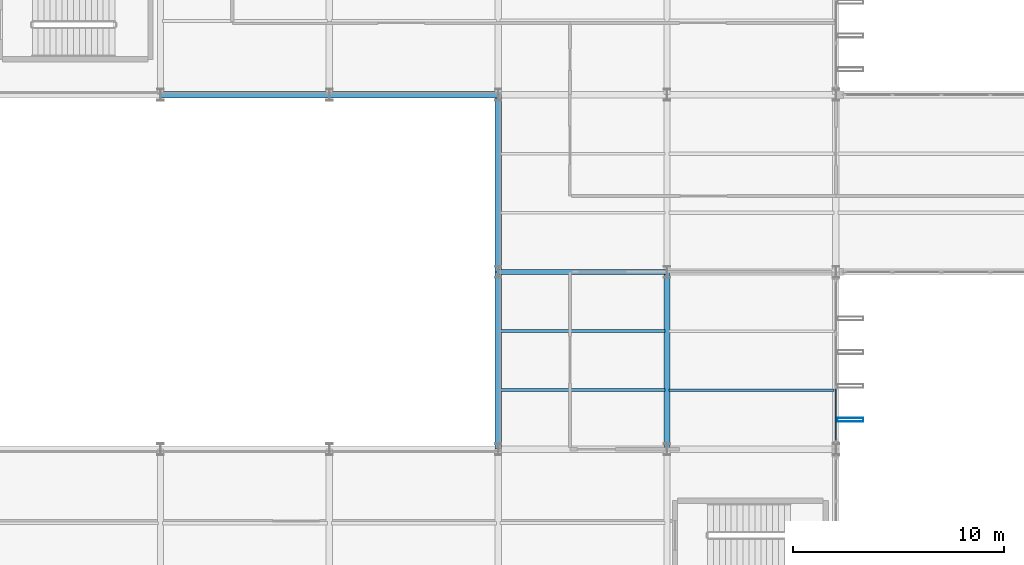
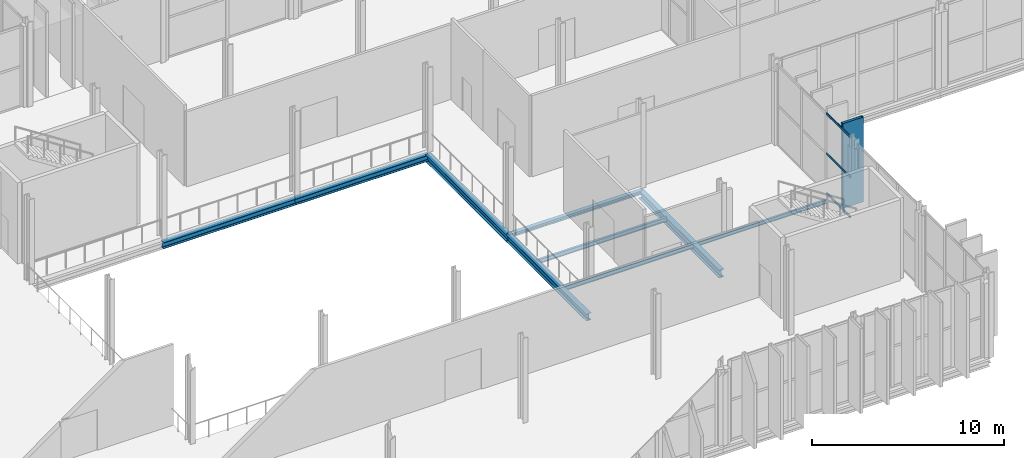
# One storey, part 55 of 147: 9 beams, 4 members, 1 element without a shape of its own.
"""IFC4 building model written with IfcOpenShell, lengths in metres."""

from ifc_helpers import new_model, si_unit, direction, frame, origin, origin_2d, place, context, subcontext, project, spatial, hollow_rectangle, i_section, extrude, material, layer, layer_set, material_profile, profile_set, type_object, element, aggregate, save


model = new_model("IFC4")

# Units and contexts
model_context = context("Model", 3, precision=1e-05, world=origin(), true_north=direction((0.0, 1.0)))
body_context = subcontext(model_context, "Body", "Model", "MODEL_VIEW")
ifc_project = project(units=[si_unit("LENGTHUNIT", "METRE"), si_unit("AREAUNIT", "SQUARE_METRE"), si_unit("VOLUMEUNIT", "CUBIC_METRE"), si_unit("PLANEANGLEUNIT", "RADIAN"), si_unit("MASSUNIT", "GRAM", prefix="KILO")], contexts=[model_context])

# Site, building, storey
site_placement = place(None, origin())
site = spatial("IfcSite", under=ifc_project, at=site_placement, CompositionType="ELEMENT")
building_placement = place(site_placement, origin())
building = spatial("IfcBuilding", under=site, at=building_placement, Name="Vekula Escarpment Museum", CompositionType="ELEMENT")
storey_placement = place(building_placement, frame((0.0, 0.0, 7.800048828125)))
storey = spatial("IfcBuildingStorey", under=building, at=storey_placement, Name="L02", CompositionType="ELEMENT", Elevation=7.800048828125)

# Beams
ifc_material_1 = material(Name="Steel S355", Category="steel")
ifc_material_profile_1 = material_profile(ifc_material_1, i_section(OverallWidth=0.300048828125, OverallDepth=0.5, WebThickness=0.014404296875, FlangeThickness=0.028076171875, FilletRadius=0.027099609375, at=origin_2d()), Name="HEB 500")
ifc_profile_set_1 = profile_set([ifc_material_profile_1], Name="Steel S355")
beam_type_1 = type_object("IfcBeamType", Name="BM-GIRD-HEB500", PredefinedType="BEAM", material=ifc_profile_set_1)
beam_1_placement = place(storey_placement, frame((118.0, 59.60009765625, -0.510009765625), z_axis=(0.0, 1.0, 0.0), x_axis=(-1.0, 0.0, 0.0)))
element("IfcBeam", 1, at=beam_1_placement, inside=storey, type_object=beam_type_1, Name="Beam Y L02 1197", PredefinedType="BEAM", context=body_context, shape_type="SweptSolid", body=[
    extrude(i_section(OverallWidth=0.300048828125, OverallDepth=0.5, WebThickness=0.014404296875, FlangeThickness=0.028076171875, FilletRadius=0.027099609375, at=origin_2d()), origin(), (0.0, 0.0, 1.0), 8.39990234375),
])
ifc_material_2 = material(Name="Steel S355", Category="steel")
ifc_material_profile_2 = material_profile(ifc_material_2, i_section(OverallWidth=0.1201171875, OverallDepth=0.239990234375, WebThickness=0.006103515625, FlangeThickness=0.009765625, FilletRadius=0.014892578125, at=origin_2d()), Name="IPE 240")
ifc_profile_set_2 = profile_set([ifc_material_profile_2], Name="Steel S355")
beam_type_2 = type_object("IfcBeamType", Name="BM-JST-IPE240", PredefinedType="JOIST", material=ifc_profile_set_2)
beam_2_placement = place(storey_placement, frame((118.090087890625, 62.39990234375, -0.380126953125), z_axis=(1.0, 0.0, 0.0), x_axis=(0.0, 1.0, 0.0)))
element("IfcBeam", 2, at=beam_2_placement, inside=storey, type_object=beam_type_2, Name="Secondary Joist L02 0817", PredefinedType="JOIST", context=body_context, shape_type="SweptSolid", body=[
    extrude(i_section(OverallWidth=0.1201171875, OverallDepth=0.239990234375, WebThickness=0.006103515625, FlangeThickness=0.009765625, FilletRadius=0.014892578125, at=origin_2d()), origin(), (0.0, 0.0, 1.0), 7.81982421875),
])
ifc_material_3 = material(Name="Steel S355", Category="steel")
ifc_material_profile_3 = material_profile(ifc_material_3, i_section(OverallWidth=0.135009765625, OverallDepth=0.27001953125, WebThickness=0.006591796875, FlangeThickness=0.01025390625, FilletRadius=0.014892578125, at=origin_2d()), Name="IPE 270")
ifc_profile_set_3 = profile_set([ifc_material_profile_3], Name="Steel S355")
beam_type_3 = type_object("IfcBeamType", Name="BM-JST-IPE270", PredefinedType="JOIST", material=ifc_profile_set_3)
for number, where, z_axis, x_axis, name in (
    (3, (110.090087890625, 62.39990234375, -0.39501953125), (1.0, 0.0, 0.0), (0.0, 1.0, 0.0), "Secondary Joist L02 0808"),
    (4, (110.090087890625, 65.199951171875, -0.39501953125), (1.0, 0.0, 0.0), (0.0, 1.0, 0.0), "Secondary Joist L02 0809"),
):
    element("IfcBeam", number, at=place(storey_placement, frame(where, z_axis=z_axis, x_axis=x_axis)), inside=storey, type_object=beam_type_3, Name=name, PredefinedType="JOIST", context=body_context, shape_type="SweptSolid", body=[
        extrude(i_section(OverallWidth=0.135009765625, OverallDepth=0.27001953125, WebThickness=0.006591796875, FlangeThickness=0.01025390625, FilletRadius=0.014892578125, at=origin_2d()), origin(), (0.0, 0.0, 1.0), 7.81982421875),
    ])
ifc_material_4 = material(Name="Steel S355", Category="steel")
ifc_material_profile_4 = material_profile(ifc_material_4, i_section(OverallWidth=0.239990234375, OverallDepth=0.22998046875, WebThickness=0.007568359375, FlangeThickness=0.011962890625, FilletRadius=0.02099609375, at=origin_2d()), Name="HEA 240")
ifc_profile_set_4 = profile_set([ifc_material_profile_4], Name="Steel S355")
beam_type_4 = type_object("IfcBeamType", Name="BM-SPAN-HEA240", PredefinedType="SPANDREL", material=ifc_profile_set_4)
beam_3_placement = place(storey_placement, frame((110.0, 68.0, -0.375), z_axis=(1.0, 0.0, 0.0), x_axis=(0.0, 1.0, 0.0)))
element("IfcBeam", 5, at=beam_3_placement, inside=storey, type_object=beam_type_4, Name="Beam X L02 0899", PredefinedType="SPANDREL", context=body_context, shape_type="SweptSolid", body=[
    extrude(i_section(OverallWidth=0.239990234375, OverallDepth=0.22998046875, WebThickness=0.007568359375, FlangeThickness=0.011962890625, FilletRadius=0.02099609375, at=origin_2d()), origin(), (0.0, 0.0, 1.0), 8.0),
])
ifc_material_5 = material(Name="Steel S355", Category="steel")
ifc_material_profile_5 = material_profile(ifc_material_5, i_section(OverallWidth=0.300048828125, OverallDepth=0.389892578125, WebThickness=0.010986328125, FlangeThickness=0.01904296875, FilletRadius=0.027099609375, at=origin_2d()), Name="HEA 400")
ifc_profile_set_5 = profile_set([ifc_material_profile_5], Name="Steel S355")
beam_type_5 = type_object("IfcBeamType", Name="BM-SPAN-HEA400", PredefinedType="SPANDREL", material=ifc_profile_set_5)
for number, where, z_axis, x_axis, name in (
    (6, (94.0, 76.39990234375, -0.455078125), (1.0, 0.0, 0.0), (0.0, 1.0, 0.0), "Beam X L02 0920"),
    (7, (102.0, 76.39990234375, -0.455078125), (1.0, 0.0, 0.0), (0.0, 1.0, 0.0), "Beam X L02 0921"),
):
    element("IfcBeam", number, at=place(storey_placement, frame(where, z_axis=z_axis, x_axis=x_axis)), inside=storey, type_object=beam_type_5, Name=name, PredefinedType="SPANDREL", context=body_context, shape_type="SweptSolid", body=[
        extrude(i_section(OverallWidth=0.300048828125, OverallDepth=0.389892578125, WebThickness=0.010986328125, FlangeThickness=0.01904296875, FilletRadius=0.027099609375, at=origin_2d()), origin(), (0.0, 0.0, 1.0), 8.0),
    ])
ifc_material_6 = material(Name="Steel S355", Category="steel")
ifc_material_profile_6 = material_profile(ifc_material_6, i_section(OverallWidth=0.300048828125, OverallDepth=0.43994140625, WebThickness=0.011474609375, FlangeThickness=0.02099609375, FilletRadius=0.027099609375, at=origin_2d()), Name="HEA 450")
ifc_profile_set_6 = profile_set([ifc_material_profile_6], Name="Steel S355")
beam_type_6 = type_object("IfcBeamType", Name="BM-SPAN-HEA450", PredefinedType="SPANDREL", material=ifc_profile_set_6)
for number, where, z_axis, x_axis, name in (
    (8, (110.0, 59.60009765625, -0.47998046875), (0.0, 1.0, 0.0), (-1.0, 0.0, 0.0), "Beam Y L02 1188"),
    (9, (110.0, 68.0, -0.47998046875), (0.0, 1.0, 0.0), (-1.0, 0.0, 0.0), "Beam Y L02 1189"),
):
    element("IfcBeam", number, at=place(storey_placement, frame(where, z_axis=z_axis, x_axis=x_axis)), inside=storey, type_object=beam_type_6, Name=name, PredefinedType="SPANDREL", context=body_context, shape_type="SweptSolid", body=[
        extrude(i_section(OverallWidth=0.300048828125, OverallDepth=0.43994140625, WebThickness=0.011474609375, FlangeThickness=0.02099609375, FilletRadius=0.027099609375, at=origin_2d()), origin(), (0.0, 0.0, 1.0), 8.39990234375),
    ])

# Curtain wall, members
ifc_material_7 = material(Name="Aluminium thermally broken framing", Category="aluminium")
ifc_layer = layer(ifc_material_7, 0.159912109375)
ifc_layer_set = layer_set([ifc_layer], Name="Aluminium thermally broken framing")
curtain_wall_type = type_object("IfcCurtainWallType", Name="CW-SYS-02", PredefinedType="NOTDEFINED", material=ifc_layer_set)
curtain_wall_placement = place(storey_placement, origin())
curtain_wall = element("IfcCurtainWall", 10, at=curtain_wall_placement, inside=storey, type_object=curtain_wall_type, Name="Curtain Wall CW-L02-062", PredefinedType="NOTDEFINED")
ifc_material_8 = material(Name="Aluminium anodized transom", Category="aluminium")
ifc_material_profile_7 = material_profile(ifc_material_8, hollow_rectangle(XDim=0.06494140625, YDim=0.139892578125, WallThickness=0.00390625, InnerFilletRadius=0.00390625, OuterFilletRadius=0.008056640625, at=origin_2d()), Name="ALU 140x65x4")
ifc_profile_set_7 = profile_set([ifc_material_profile_7], Name="Aluminium anodized transom")
member_type_1 = type_object("IfcMemberType", Name="CW-TRN-140", PredefinedType="USERDEFINED", material=ifc_profile_set_7)
member_1_placement = place(storey_placement, frame((126.0, 60.02490234375, 0.032470703125), z_axis=(0.0, 1.0, 0.0), x_axis=(-1.0, 0.0, 0.0)))
member_1 = element("IfcMember", 11, at=member_1_placement, type_object=member_type_1, Name="CW-02 transom 1.1", ObjectType="TRANSOM", PredefinedType="USERDEFINED", context=body_context, shape_type="SweptSolid", body=[
    extrude(hollow_rectangle(XDim=0.06494140625, YDim=0.139892578125, WallThickness=0.00390625, InnerFilletRadius=0.00390625, OuterFilletRadius=0.008056640625, at=origin_2d()), origin(), (0.0, 0.0, 1.0), 2.462646484375),
])
member_2_placement = place(storey_placement, frame((126.0, 60.02490234375, 2.574951171875), z_axis=(0.0, 1.0, 0.0), x_axis=(-1.0, 0.0, 0.0)))
member_2 = element("IfcMember", 12, at=member_2_placement, type_object=member_type_1, Name="CW-02 transom 1.2", ObjectType="TRANSOM", PredefinedType="USERDEFINED", context=body_context, shape_type="SweptSolid", body=[
    extrude(hollow_rectangle(XDim=0.06494140625, YDim=0.139892578125, WallThickness=0.00390625, InnerFilletRadius=0.00390625, OuterFilletRadius=0.008056640625, at=origin_2d()), origin(), (0.0, 0.0, 1.0), 2.462646484375),
])
member_3_placement = place(storey_placement, frame((126.0, 60.02490234375, 5.117431640625), z_axis=(0.0, 1.0, 0.0), x_axis=(-1.0, 0.0, 0.0)))
member_3 = element("IfcMember", 13, at=member_3_placement, type_object=member_type_1, Name="CW-02 transom 1.3", ObjectType="TRANSOM", PredefinedType="USERDEFINED", context=body_context, shape_type="SweptSolid", body=[
    extrude(hollow_rectangle(XDim=0.06494140625, YDim=0.139892578125, WallThickness=0.00390625, InnerFilletRadius=0.00390625, OuterFilletRadius=0.008056640625, at=origin_2d()), origin(), (0.0, 0.0, 1.0), 2.462646484375),
])
aggregate(curtain_wall, [member_1, member_2, member_3])

# Member
ifc_material_9 = material(Name="Steel S355 weathered bronze solar fin", Category="steel")
ifc_material_profile_8 = material_profile(ifc_material_9, hollow_rectangle(XDim=0.179931640625, YDim=1.25, WallThickness=0.010009765625, InnerFilletRadius=0.010009765625, OuterFilletRadius=0.02001953125, at=origin_2d()), Name="RHS 1250x180x10")
ifc_profile_set_8 = profile_set([ifc_material_profile_8], Name="Steel S355 weathered bronze solar fin")
member_type_2 = type_object("IfcMemberType", Name="MB-SOLAR-FIN", PredefinedType="USERDEFINED", material=ifc_profile_set_8)
member_4_placement = place(storey_placement, frame((126.679931640625, 61.0, 0.0), z_axis=(0.0, 0.0, 1.0), x_axis=(0.0, 1.0, 0.0)))
element("IfcMember", 14, at=member_4_placement, inside=storey, type_object=member_type_2, Name="Great Hall Vertical Solar Fin 0367", ObjectType="SOLAR FIN", PredefinedType="USERDEFINED", context=body_context, shape_type="SweptSolid", body=[
    extrude(hollow_rectangle(XDim=0.179931640625, YDim=1.25, WallThickness=0.010009765625, InnerFilletRadius=0.010009765625, OuterFilletRadius=0.02001953125, at=origin_2d()), origin(), (0.0, 0.0, 1.0), 5.39990234375),
])

save(model, "model.ifc")
